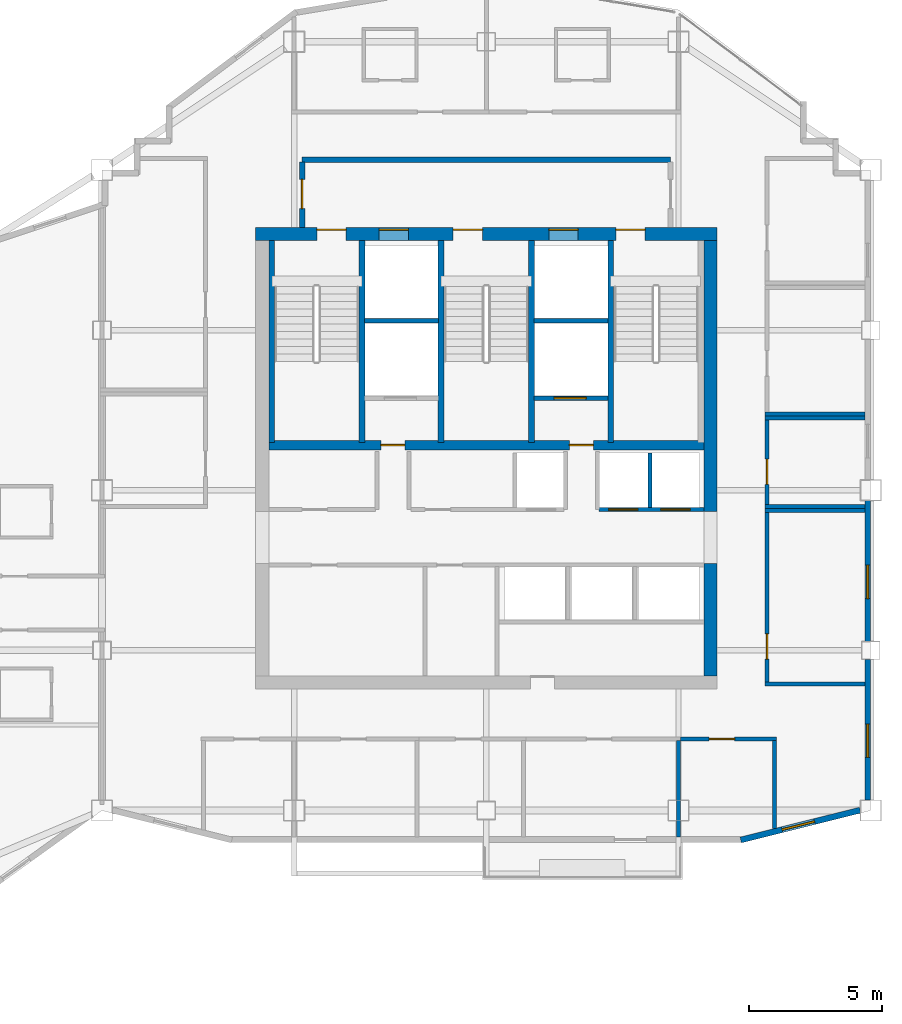
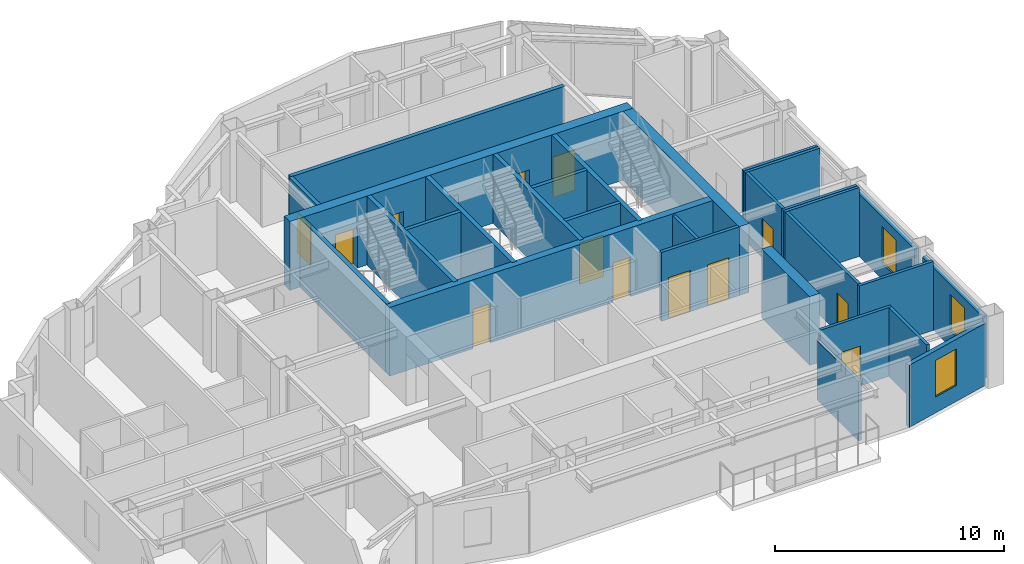
# One storey, part 7 of 10: 29 walls, 14 doors, 3 windows, 17 openings.
"""IFC4 building model written with IfcOpenShell, lengths in metres."""

from ifc_helpers import new_model, si_unit, direction, frame, frame_2d, origin, place, context, subcontext, project, spatial, rectangle, extrude, material, layer, layer_set, type_object, element, fill, save


model = new_model("IFC4")

# Units and contexts
model_context = context("Model", 3, precision=1e-05, world=origin(), true_north=direction((0.0, 1.0)))
body_context = subcontext(model_context, "Body", "Model", "MODEL_VIEW")
ifc_project = project(units=[si_unit("LENGTHUNIT", "METRE"), si_unit("AREAUNIT", "SQUARE_METRE"), si_unit("VOLUMEUNIT", "CUBIC_METRE"), si_unit("PLANEANGLEUNIT", "RADIAN"), si_unit("MASSUNIT", "GRAM", prefix="KILO")], contexts=[model_context])

# Site, building, storey
site_placement = place(None, origin())
site = spatial("IfcSite", under=ifc_project, at=site_placement, CompositionType="ELEMENT")
building_placement = place(site_placement, origin())
building = spatial("IfcBuilding", under=site, at=building_placement, Name="Haolan Belvedere Tower", CompositionType="ELEMENT")
storey_placement = place(building_placement, frame((0.0, 0.0, 258.300048828125)))
storey = spatial("IfcBuildingStorey", under=building, at=storey_placement, Name="L65", CompositionType="ELEMENT", Elevation=258.300048828125)

# Wall, openings, doors
ifc_material_1 = material(Name="Concrete C50/60", Category="concrete")
ifc_layer_1 = layer(ifc_material_1, 0.5, Name="Concrete C50/60")
ifc_layer_set_1 = layer_set([ifc_layer_1], Name="Concrete C50/60")
wall_type_1 = type_object("IfcWallType", Name="WL-CORE-500", PredefinedType="SHEAR", material=ifc_layer_set_1)
wall_1_placement = place(storey_placement, frame((29.75, 43.199951171875, 0.0), z_axis=(0.0, 0.0, 1.0), x_axis=(1.0, 0.0, 0.0)))
wall_1 = element("IfcWall", 1, at=wall_1_placement, inside=storey, type_object=wall_type_1, Name="L65 central core north shear wall", PredefinedType="SHEAR", context=body_context, shape_type="SweptSolid", body=[
    extrude(rectangle(XDim=17.300048828125, YDim=0.5, at=frame_2d((8.64990234375, 0.0))), origin(), (0.0, 0.0, 1.0), 3.669921875),
])
opening_1_placement = place(wall_1_placement, frame((2.300048828125, 0.0, 0.0)))
opening_1 = element("IfcOpeningElement", 2, at=opening_1_placement, cuts=wall_1, Name="Opening FD-03", PredefinedType="OPENING", context=body_context, shape_type="SweptSolid", body=[
    extrude(rectangle(XDim=1.10009765625, YDim=2.14990234375, at=frame_2d((0.550048828125, 1.074951171875))), frame((0.0, 0.260009765625, 0.0), z_axis=(0.0, -1.0, 0.0), x_axis=(1.0, 0.0, 0.0)), (0.0, 0.0, 1.0), 0.52001953125),
])
opening_2_placement = place(wall_1_placement, frame((7.409912109375, 0.0, 0.0)))
opening_2 = element("IfcOpeningElement", 3, at=opening_2_placement, cuts=wall_1, Name="Opening FD-03", PredefinedType="OPENING", context=body_context, shape_type="SweptSolid", body=[
    extrude(rectangle(XDim=1.10009765625, YDim=2.14990234375, at=frame_2d((0.550048828125, 1.074951171875))), frame((0.0, 0.260009765625, 0.0), z_axis=(0.0, -1.0, 0.0), x_axis=(1.0, 0.0, 0.0)), (0.0, 0.0, 1.0), 0.52001953125),
])
opening_3_placement = place(wall_1_placement, frame((13.5, 0.0, 0.0)))
opening_3 = element("IfcOpeningElement", 4, at=opening_3_placement, cuts=wall_1, Name="Opening FD-03", PredefinedType="OPENING", context=body_context, shape_type="SweptSolid", body=[
    extrude(rectangle(XDim=1.10009765625, YDim=2.14990234375, at=frame_2d((0.550048828125, 1.074951171875))), frame((0.0, 0.260009765625, 0.0), z_axis=(0.0, -1.0, 0.0), x_axis=(1.0, 0.0, 0.0)), (0.0, 0.0, 1.0), 0.52001953125),
])
opening_4_placement = place(wall_1_placement, frame((4.6298828125, 0.0, 0.0)))
opening_4 = element("IfcOpeningElement", 5, at=opening_4_placement, cuts=wall_1, Name="Opening LD-01", PredefinedType="OPENING", context=body_context, shape_type="SweptSolid", body=[
    extrude(rectangle(XDim=1.10009765625, YDim=2.199951171875, at=frame_2d((0.550048828125, 1.10009765625))), frame((0.0, 0.260009765625, 0.0), z_axis=(0.0, -1.0, 0.0), x_axis=(1.0, 0.0, 0.0)), (0.0, 0.0, 1.0), 0.52001953125),
])
opening_5_placement = place(wall_1_placement, frame((10.989990234375, 0.0, 0.0)))
opening_5 = element("IfcOpeningElement", 6, at=opening_5_placement, cuts=wall_1, Name="Opening LD-01", PredefinedType="OPENING", context=body_context, shape_type="SweptSolid", body=[
    extrude(rectangle(XDim=1.10009765625, YDim=2.199951171875, at=frame_2d((0.550048828125, 1.10009765625))), frame((0.0, 0.260009765625, 0.0), z_axis=(0.0, -1.0, 0.0), x_axis=(1.0, 0.0, 0.0)), (0.0, 0.0, 1.0), 0.52001953125),
])
ifc_material_2 = material(Name="Galvanised fire-rated steel", Category="steel")
door_type_1 = type_object("IfcDoorType", Name="DR-FD90-1100", OperationType="NOTDEFINED", PredefinedType="DOOR", material=ifc_material_2)
door_1_placement = place(opening_1_placement, origin())
door_1 = element("IfcDoor", 7, at=door_1_placement, inside=storey, type_object=door_type_1, Name="L65 door CD-L65-ST1", OperationType="SINGLE_SWING_LEFT", OverallHeight=2.14990234375, OverallWidth=1.10009765625, PredefinedType="DOOR", context=body_context, shape_type="SweptSolid", body=[
    extrude(rectangle(XDim=1.10009765625, YDim=2.14990234375, at=frame_2d((0.550048828125, 1.074951171875))), frame((0.0, 0.18505859375, 0.0), z_axis=(0.0, -1.0, 0.0), x_axis=(1.0, 0.0, 0.0)), (0.0, 0.0, 1.0), 0.050048828125),
])
fill(opening_1, door_1)
door_2_placement = place(opening_2_placement, origin())
door_2 = element("IfcDoor", 8, at=door_2_placement, inside=storey, type_object=door_type_1, Name="L65 door CD-L65-ST3", OperationType="SINGLE_SWING_LEFT", OverallHeight=2.14990234375, OverallWidth=1.10009765625, PredefinedType="DOOR", context=body_context, shape_type="SweptSolid", body=[
    extrude(rectangle(XDim=1.10009765625, YDim=2.14990234375, at=frame_2d((0.550048828125, 1.074951171875))), frame((0.0, 0.18505859375, 0.0), z_axis=(0.0, -1.0, 0.0), x_axis=(1.0, 0.0, 0.0)), (0.0, 0.0, 1.0), 0.050048828125),
])
fill(opening_2, door_2)
door_3_placement = place(opening_3_placement, origin())
door_3 = element("IfcDoor", 9, at=door_3_placement, inside=storey, type_object=door_type_1, Name="L65 door CD-L65-ST2", OperationType="SINGLE_SWING_RIGHT", OverallHeight=2.14990234375, OverallWidth=1.10009765625, PredefinedType="DOOR", context=body_context, shape_type="SweptSolid", body=[
    extrude(rectangle(XDim=1.10009765625, YDim=2.14990234375, at=frame_2d((0.550048828125, 1.074951171875))), frame((0.0, 0.18505859375, 0.0), z_axis=(0.0, -1.0, 0.0), x_axis=(1.0, 0.0, 0.0)), (0.0, 0.0, 1.0), 0.050048828125),
])
fill(opening_3, door_3)
ifc_material_3 = material(Name="Brushed champagne stainless steel 316L", Category="steel")
door_type_2 = type_object("IfcDoorType", Name="DR-LIFT-1100", OperationType="SLIDING_TO_LEFT", PredefinedType="DOOR", material=ifc_material_3)
door_4_placement = place(opening_4_placement, origin())
door_4 = element("IfcDoor", 10, at=door_4_placement, inside=storey, type_object=door_type_2, Name="L65 door LD-L65-FF1", OperationType="SLIDING_TO_LEFT", OverallHeight=2.199951171875, OverallWidth=1.10009765625, PredefinedType="DOOR", context=body_context, shape_type="SweptSolid", body=[
    extrude(rectangle(XDim=1.10009765625, YDim=2.199951171875, at=frame_2d((0.550048828125, 1.10009765625))), frame((0.0, 0.18505859375, 0.0), z_axis=(0.0, -1.0, 0.0), x_axis=(1.0, 0.0, 0.0)), (0.0, 0.0, 1.0), 0.050048828125),
])
fill(opening_4, door_4)
door_5_placement = place(opening_5_placement, origin())
door_5 = element("IfcDoor", 11, at=door_5_placement, inside=storey, type_object=door_type_2, Name="L65 door LD-L65-FF2", OperationType="SLIDING_TO_LEFT", OverallHeight=2.199951171875, OverallWidth=1.10009765625, PredefinedType="DOOR", context=body_context, shape_type="SweptSolid", body=[
    extrude(rectangle(XDim=1.10009765625, YDim=2.199951171875, at=frame_2d((0.550048828125, 1.10009765625))), frame((0.0, 0.18505859375, 0.0), z_axis=(0.0, -1.0, 0.0), x_axis=(1.0, 0.0, 0.0)), (0.0, 0.0, 1.0), 0.050048828125),
])
fill(opening_5, door_5)

# Walls
wall_2_placement = place(storey_placement, frame((46.800048828125, 26.64990234375, 0.0), z_axis=(0.0, 0.0, 1.0), x_axis=(0.0, 1.0, 0.0)))
element("IfcWall", 12, at=wall_2_placement, inside=storey, type_object=wall_type_1, Name="L65 central core shear wall ES", PredefinedType="SHEAR", context=body_context, shape_type="SweptSolid", body=[
    extrude(rectangle(XDim=4.2001953125, YDim=0.5, at=frame_2d((2.10009765625, 0.0))), origin(), (0.0, 0.0, 1.0), 3.669921875),
])
wall_3_placement = place(storey_placement, frame((46.800048828125, 32.800048828125, 0.0), z_axis=(0.0, 0.0, 1.0), x_axis=(0.0, 1.0, 0.0)))
element("IfcWall", 13, at=wall_3_placement, inside=storey, type_object=wall_type_1, Name="L65 central core shear wall EN", PredefinedType="SHEAR", context=body_context, shape_type="SweptSolid", body=[
    extrude(rectangle(XDim=10.14990234375, YDim=0.5, at=frame_2d((5.074951171875, 0.0))), origin(), (0.0, 0.0, 1.0), 3.669921875),
])

# Wall, opening, window
ifc_material_4 = material(Name="Precast concrete C40/50", Category="concrete")
ifc_layer_2 = layer(ifc_material_4, 0.219970703125, Name="Precast concrete C40/50")
ifc_layer_set_2 = layer_set([ifc_layer_2], Name="Precast concrete C40/50")
wall_type_2 = type_object("IfcWallType", Name="WL-EXT-220", PredefinedType="SOLIDWALL", material=ifc_layer_set_2)
wall_4_placement = place(storey_placement, frame((47.93310546875, 20.49658203125, 0.0), z_axis=(0.0, 0.0, 1.0), x_axis=(0.970133159038, 0.242572986408, 0.0)))
wall_4 = element("IfcWall", 14, at=wall_4_placement, inside=storey, type_object=wall_type_2, Name="L65 pale-metal exterior spandrel wall 2.1", PredefinedType="SOLIDWALL", context=body_context, shape_type="SweptSolid", body=[
    extrude(rectangle(XDim=4.612548828125, YDim=0.219970703125, at=frame_2d((2.30615234375, 0.0))), origin(), (0.0, 0.0, 1.0), 3.31494140625),
])
opening_6_placement = place(wall_4_placement, frame((1.60009765625, 0.0, 0.85009765625)))
opening_6 = element("IfcOpeningElement", 15, at=opening_6_placement, cuts=wall_4, Name="Opening W-04", PredefinedType="OPENING", context=body_context, shape_type="SweptSolid", body=[
    extrude(rectangle(XDim=1.25, YDim=1.949951171875, at=frame_2d((0.625, 0.97509765625))), frame((0.0, 0.119873046875, 0.0), z_axis=(0.0, -1.0, 0.0), x_axis=(1.0, 0.0, 0.0)), (0.0, 0.0, 1.0), 0.239990234375),
])
ifc_material_5 = material(Name="Anodised aluminium 6063-T6 and Low-E glass", Category="aluminium")
window_type = type_object("IfcWindowType", Name="WN-DECO-Z4", PartitioningType="SINGLE_PANEL", PredefinedType="WINDOW", material=ifc_material_5)
window_1_placement = place(opening_6_placement, origin())
window_1 = element("IfcWindow", 16, at=window_1_placement, inside=storey, type_object=window_type, Name="L65 Art Deco chevron window 1", OverallHeight=1.949951171875, OverallWidth=1.25, PartitioningType="SINGLE_PANEL", PredefinedType="WINDOW", context=body_context, shape_type="SweptSolid", body=[
    extrude(rectangle(XDim=1.25, YDim=1.949951171875, at=frame_2d((0.625, 0.97509765625))), frame((0.0, 0.030029296875, 0.0), z_axis=(0.0, -1.0, 0.0), x_axis=(1.0, 0.0, 0.0)), (0.0, 0.0, 1.0), 0.06005859375),
])
fill(opening_6, window_1)

wall_5_placement = place(storey_placement, frame((52.68994140625, 21.991943359375, 0.0), z_axis=(0.0, 0.0, 1.0), x_axis=(0.0, 1.0, 0.0)))
wall_5 = element("IfcWall", 17, at=wall_5_placement, inside=storey, type_object=wall_type_2, Name="L65 pale-metal exterior spandrel wall 3.1", PredefinedType="SOLIDWALL", context=body_context, shape_type="SweptSolid", body=[
    extrude(rectangle(XDim=5.26611328125, YDim=0.219970703125, at=frame_2d((2.633056640625, 0.0))), origin(), (0.0, 0.0, 1.0), 3.31494140625),
])
opening_7_placement = place(wall_5_placement, frame((1.60009765625, 0.0, 0.85009765625)))
opening_7 = element("IfcOpeningElement", 18, at=opening_7_placement, cuts=wall_5, Name="Opening W-04", PredefinedType="OPENING", context=body_context, shape_type="SweptSolid", body=[
    extrude(rectangle(XDim=1.25, YDim=1.949951171875, at=frame_2d((0.625, 0.97509765625))), frame((0.0, 0.119873046875, 0.0), z_axis=(0.0, -1.0, 0.0), x_axis=(1.0, 0.0, 0.0)), (0.0, 0.0, 1.0), 0.239990234375),
])
window_2_placement = place(opening_7_placement, origin())
window_2 = element("IfcWindow", 19, at=window_2_placement, inside=storey, type_object=window_type, Name="L65 Art Deco chevron window 1", OverallHeight=1.949951171875, OverallWidth=1.25, PartitioningType="SINGLE_PANEL", PredefinedType="WINDOW", context=body_context, shape_type="SweptSolid", body=[
    extrude(rectangle(XDim=1.25, YDim=1.949951171875, at=frame_2d((0.625, 0.97509765625))), frame((0.0, 0.030029296875, 0.0), z_axis=(0.0, -1.0, 0.0), x_axis=(1.0, 0.0, 0.0)), (0.0, 0.0, 1.0), 0.06005859375),
])
fill(opening_7, window_2)

wall_6_placement = place(storey_placement, frame((52.68994140625, 27.94189453125, 0.0), z_axis=(0.0, 0.0, 1.0), x_axis=(0.0, 1.0, 0.0)))
wall_6 = element("IfcWall", 20, at=wall_6_placement, inside=storey, type_object=wall_type_2, Name="L65 pale-metal exterior spandrel wall 3.2", PredefinedType="SOLIDWALL", context=body_context, shape_type="SweptSolid", body=[
    extrude(rectangle(XDim=5.26611328125, YDim=0.219970703125, at=frame_2d((2.633056640625, 0.0))), origin(), (0.0, 0.0, 1.0), 3.31494140625),
])
opening_8_placement = place(wall_6_placement, frame((1.60009765625, 0.0, 0.85009765625)))
opening_8 = element("IfcOpeningElement", 21, at=opening_8_placement, cuts=wall_6, Name="Opening W-04", PredefinedType="OPENING", context=body_context, shape_type="SweptSolid", body=[
    extrude(rectangle(XDim=1.25, YDim=1.949951171875, at=frame_2d((0.625, 0.97509765625))), frame((0.0, 0.119873046875, 0.0), z_axis=(0.0, -1.0, 0.0), x_axis=(1.0, 0.0, 0.0)), (0.0, 0.0, 1.0), 0.239990234375),
])
window_3_placement = place(opening_8_placement, origin())
window_3 = element("IfcWindow", 22, at=window_3_placement, inside=storey, type_object=window_type, Name="L65 Art Deco chevron window 1", OverallHeight=1.949951171875, OverallWidth=1.25, PartitioningType="SINGLE_PANEL", PredefinedType="WINDOW", context=body_context, shape_type="SweptSolid", body=[
    extrude(rectangle(XDim=1.25, YDim=1.949951171875, at=frame_2d((0.625, 0.97509765625))), frame((0.0, 0.030029296875, 0.0), z_axis=(0.0, -1.0, 0.0), x_axis=(1.0, 0.0, 0.0)), (0.0, 0.0, 1.0), 0.06005859375),
])
fill(opening_8, window_3)

# Wall
ifc_material_6 = material(Name="Concrete C40/50", Category="concrete")
ifc_layer_3 = layer(ifc_material_6, 0.199951171875, Name="Concrete C40/50")
ifc_layer_set_3 = layer_set([ifc_layer_3], Name="Concrete C40/50")
wall_type_3 = type_object("IfcWallType", Name="WL-FIRE-200", PredefinedType="SOLIDWALL", material=ifc_layer_set_3)
wall_7_placement = place(storey_placement, frame((31.5, 45.97998046875, 0.0), z_axis=(0.0, 0.0, 1.0), x_axis=(1.0, 0.0, 0.0)))
element("IfcWall", 23, at=wall_7_placement, inside=storey, type_object=wall_type_3, Name="L65 interior partition IW-L65-FFL-N", PredefinedType="SOLIDWALL", context=body_context, shape_type="SweptSolid", body=[
    extrude(rectangle(XDim=13.800048828125, YDim=0.199951171875, at=frame_2d((6.89990234375, 0.0))), origin(), (0.0, 0.0, 1.0), 3.669921875),
])

# Wall, opening, door
wall_8_placement = place(storey_placement, frame((31.5, 43.449951171875, 0.0), z_axis=(0.0, 0.0, 1.0), x_axis=(0.0, 1.0, 0.0)))
wall_8 = element("IfcWall", 24, at=wall_8_placement, inside=storey, type_object=wall_type_3, Name="L65 interior partition IW-L65-FFL-W", PredefinedType="SOLIDWALL", context=body_context, shape_type="SweptSolid", body=[
    extrude(rectangle(XDim=2.445068359375, YDim=0.199951171875, at=frame_2d((1.22265625, 0.0))), origin(), (0.0, 0.0, 1.0), 3.669921875),
])
opening_9_placement = place(wall_8_placement, frame((1.800048828125, 0.0, 0.0), z_axis=(0.0, 0.0, 1.0), x_axis=(-1.0, 0.0, 0.0)))
opening_9 = element("IfcOpeningElement", 25, at=opening_9_placement, cuts=wall_8, Name="Opening FD-03", PredefinedType="OPENING", context=body_context, shape_type="SweptSolid", body=[
    extrude(rectangle(XDim=1.10009765625, YDim=2.14990234375, at=frame_2d((0.550048828125, 1.074951171875))), frame((0.0, 0.10986328125, 0.0), z_axis=(0.0, -1.0, 0.0), x_axis=(1.0, 0.0, 0.0)), (0.0, 0.0, 1.0), 0.219970703125),
])
door_6_placement = place(opening_9_placement, origin())
door_6 = element("IfcDoor", 26, at=door_6_placement, inside=storey, type_object=door_type_1, Name="L65 door ID-L65-FFL-DW", OperationType="SINGLE_SWING_LEFT", OverallHeight=2.14990234375, OverallWidth=1.10009765625, PredefinedType="DOOR", context=body_context, shape_type="SweptSolid", body=[
    extrude(rectangle(XDim=1.10009765625, YDim=2.14990234375, at=frame_2d((0.550048828125, 1.074951171875))), frame((0.0, 0.02490234375, 0.0), z_axis=(0.0, -1.0, 0.0), x_axis=(1.0, 0.0, 0.0)), (0.0, 0.0, 1.0), 0.050048828125),
])
fill(opening_9, door_6)

# Walls
ifc_material_7 = material(Name="Double gypsum acoustic stud partition", Category="masonry")
ifc_layer_4 = layer(ifc_material_7, 0.14990234375, Name="Double gypsum acoustic stud partition")
ifc_layer_set_4 = layer_set([ifc_layer_4], Name="Double gypsum acoustic stud partition")
wall_type_4 = type_object("IfcWallType", Name="WL-PART-150", PredefinedType="PARTITIONING", material=ifc_layer_set_4)
for number, where, z_axis, x_axis, name in (
    (27, (48.840087890625, 36.300048828125, 0.0), (0.0, 0.0, 1.0), (1.0, 0.0, 0.0), "L65 interior partition IW-L65-AWC-N"),
    (28, (48.840087890625, 33.0, 0.0), (0.0, 0.0, 1.0), (1.0, 0.0, 0.0), "L65 interior partition IW-L65-AWC-S"),
):
    element("IfcWall", number, at=place(storey_placement, frame(where, z_axis=z_axis, x_axis=x_axis)), inside=storey, type_object=wall_type_4, Name=name, PredefinedType="PARTITIONING", context=body_context, shape_type="SweptSolid", body=[
        extrude(rectangle(XDim=3.747802734375, YDim=0.14990234375, at=frame_2d((1.8740234375, 0.0))), origin(), (0.0, 0.0, 1.0), 3.669921875),
    ])

# Wall, opening, door
wall_9_placement = place(storey_placement, frame((48.919921875, 33.06005859375, 0.0), z_axis=(0.0, 0.0, 1.0), x_axis=(0.0, 1.0, 0.0)))
wall_9 = element("IfcWall", 29, at=wall_9_placement, inside=storey, type_object=wall_type_4, Name="L65 interior partition IW-L65-AWC-W", PredefinedType="PARTITIONING", context=body_context, shape_type="SweptSolid", body=[
    extrude(rectangle(XDim=3.179931640625, YDim=0.14990234375, at=frame_2d((1.58984375, 0.0))), origin(), (0.0, 0.0, 1.0), 3.669921875),
])
opening_10_placement = place(wall_9_placement, frame((0.760009765625, 0.0, 0.0)))
opening_10 = element("IfcOpeningElement", 30, at=opening_10_placement, cuts=wall_9, Name="Opening ID-03", PredefinedType="OPENING", context=body_context, shape_type="SweptSolid", body=[
    extrude(rectangle(XDim=0.949951171875, YDim=2.1201171875, at=frame_2d((0.47509765625, 1.06005859375))), frame((0.0, 0.0849609375, 0.0), z_axis=(0.0, -1.0, 0.0), x_axis=(1.0, 0.0, 0.0)), (0.0, 0.0, 1.0), 0.169921875),
])
ifc_material_8 = material(Name="Painted solid-core timber", Category="wood")
door_type_3 = type_object("IfcDoorType", Name="DR-INT-950", OperationType="NOTDEFINED", PredefinedType="DOOR", material=ifc_material_8)
door_7_placement = place(opening_10_placement, origin())
door_7 = element("IfcDoor", 31, at=door_7_placement, inside=storey, type_object=door_type_3, Name="L65 door ID-L65-AWC", OperationType="SINGLE_SWING_LEFT", OverallHeight=2.1201171875, OverallWidth=0.949951171875, PredefinedType="DOOR", context=body_context, shape_type="SweptSolid", body=[
    extrude(rectangle(XDim=0.949951171875, YDim=2.1201171875, at=frame_2d((0.47509765625, 1.06005859375))), frame((0.0, 0.02490234375, 0.0), z_axis=(0.0, -1.0, 0.0), x_axis=(1.0, 0.0, 0.0)), (0.0, 0.0, 1.0), 0.050048828125),
])
fill(opening_10, door_7)

# Walls
for number, where, z_axis, x_axis, name in (
    (32, (48.840087890625, 36.4599609375, 0.0), (0.0, 0.0, 1.0), (1.0, 0.0, 0.0), "L65 interior partition IW-L65-STY-S"),
    (33, (48.840087890625, 32.840087890625, 0.0), (0.0, 0.0, 1.0), (1.0, 0.0, 0.0), "L65 interior partition IW-L65-PKTE-N"),
    (34, (48.840087890625, 26.35009765625, 0.0), (0.0, 0.0, 1.0), (1.0, 0.0, 0.0), "L65 interior partition IW-L65-PKTE-S"),
):
    element("IfcWall", number, at=place(storey_placement, frame(where, z_axis=z_axis, x_axis=x_axis)), inside=storey, type_object=wall_type_4, Name=name, PredefinedType="PARTITIONING", context=body_context, shape_type="SweptSolid", body=[
        extrude(rectangle(XDim=3.747802734375, YDim=0.14990234375, at=frame_2d((1.8740234375, 0.0))), origin(), (0.0, 0.0, 1.0), 3.669921875),
    ])

# Wall, opening, door
wall_10_placement = place(storey_placement, frame((48.919921875, 26.409912109375, 0.0), z_axis=(0.0, 0.0, 1.0), x_axis=(0.0, 1.0, 0.0)))
wall_10 = element("IfcWall", 35, at=wall_10_placement, inside=storey, type_object=wall_type_4, Name="L65 interior partition IW-L65-PKTE-W", PredefinedType="PARTITIONING", context=body_context, shape_type="SweptSolid", body=[
    extrude(rectangle(XDim=6.3701171875, YDim=0.14990234375, at=frame_2d((3.18505859375, 0.0))), origin(), (0.0, 0.0, 1.0), 3.669921875),
])
opening_11_placement = place(wall_10_placement, frame((0.860107421875, 0.0, 0.0)))
opening_11 = element("IfcOpeningElement", 36, at=opening_11_placement, cuts=wall_10, Name="Opening ID-03", PredefinedType="OPENING", context=body_context, shape_type="SweptSolid", body=[
    extrude(rectangle(XDim=0.949951171875, YDim=2.1201171875, at=frame_2d((0.47509765625, 1.06005859375))), frame((0.0, 0.0849609375, 0.0), z_axis=(0.0, -1.0, 0.0), x_axis=(1.0, 0.0, 0.0)), (0.0, 0.0, 1.0), 0.169921875),
])
door_8_placement = place(opening_11_placement, origin())
door_8 = element("IfcDoor", 37, at=door_8_placement, inside=storey, type_object=door_type_3, Name="L65 door ID-L65-PKTE", OperationType="SINGLE_SWING_RIGHT", OverallHeight=2.1201171875, OverallWidth=0.949951171875, PredefinedType="DOOR", context=body_context, shape_type="SweptSolid", body=[
    extrude(rectangle(XDim=0.949951171875, YDim=2.1201171875, at=frame_2d((0.47509765625, 1.06005859375))), frame((0.0, 0.02490234375, 0.0), z_axis=(0.0, -1.0, 0.0), x_axis=(1.0, 0.0, 0.0)), (0.0, 0.0, 1.0), 0.050048828125),
])
fill(opening_11, door_8)

# Wall
wall_11_placement = place(storey_placement, frame((45.60009765625, 20.612060546875, 0.0), z_axis=(0.0, 0.0, 1.0), x_axis=(0.0, 1.0, 0.0)))
element("IfcWall", 38, at=wall_11_placement, inside=storey, type_object=wall_type_4, Name="L65 interior partition IW-L65-KS5-E", PredefinedType="PARTITIONING", context=body_context, shape_type="SweptSolid", body=[
    extrude(rectangle(XDim=3.60791015625, YDim=0.14990234375, at=frame_2d((1.803955078125, 0.0))), origin(), (0.0, 0.0, 1.0), 3.155029296875),
])

# Wall, opening, door
wall_12_placement = place(storey_placement, frame((45.681884765625, 24.280029296875, 0.0), z_axis=(0.0, 0.0, 1.0), x_axis=(1.0, 0.0, 0.0)))
wall_12 = element("IfcWall", 39, at=wall_12_placement, inside=storey, type_object=wall_type_4, Name="L65 interior partition IW-L65-KS6-N", PredefinedType="PARTITIONING", context=body_context, shape_type="SweptSolid", body=[
    extrude(rectangle(XDim=3.59814453125, YDim=0.14990234375, at=frame_2d((1.799072265625, 0.0))), origin(), (0.0, 0.0, 1.0), 3.669921875),
])
opening_12_placement = place(wall_12_placement, frame((2.01806640625, 0.0, 0.0), z_axis=(0.0, 0.0, 1.0), x_axis=(-1.0, 0.0, 0.0)))
opening_12 = element("IfcOpeningElement", 40, at=opening_12_placement, cuts=wall_12, Name="Opening ID-03", PredefinedType="OPENING", context=body_context, shape_type="SweptSolid", body=[
    extrude(rectangle(XDim=0.949951171875, YDim=2.1201171875, at=frame_2d((0.47509765625, 1.06005859375))), frame((0.0, 0.0849609375, 0.0), z_axis=(0.0, -1.0, 0.0), x_axis=(1.0, 0.0, 0.0)), (0.0, 0.0, 1.0), 0.169921875),
])
door_9_placement = place(opening_12_placement, origin())
door_9 = element("IfcDoor", 41, at=door_9_placement, inside=storey, type_object=door_type_3, Name="L65 door ID-L65-KS6", OperationType="SINGLE_SWING_RIGHT", OverallHeight=2.1201171875, OverallWidth=0.949951171875, PredefinedType="DOOR", context=body_context, shape_type="SweptSolid", body=[
    extrude(rectangle(XDim=0.949951171875, YDim=2.1201171875, at=frame_2d((0.47509765625, 1.06005859375))), frame((0.0, 0.02490234375, 0.0), z_axis=(0.0, -1.0, 0.0), x_axis=(1.0, 0.0, 0.0)), (0.0, 0.0, 1.0), 0.050048828125),
])
fill(opening_12, door_9)

# Wall
wall_13_placement = place(storey_placement, frame((49.199951171875, 20.91845703125, 0.0), z_axis=(0.0, 0.0, 1.0), x_axis=(0.0, 1.0, 0.0)))
element("IfcWall", 42, at=wall_13_placement, inside=storey, type_object=wall_type_4, Name="L65 interior partition IW-L65-KS6-E", PredefinedType="PARTITIONING", context=body_context, shape_type="SweptSolid", body=[
    extrude(rectangle(XDim=3.301513671875, YDim=0.14990234375, at=frame_2d((1.65087890625, 0.0))), origin(), (0.0, 0.0, 1.0), 3.669921875),
])

# Wall, openings, doors
ifc_material_9 = material(Name="Gypsum fire shaftwall assembly", Category="masonry")
ifc_layer_5 = layer(ifc_material_9, 0.1650390625, Name="Gypsum fire shaftwall assembly")
ifc_layer_set_5 = layer_set([ifc_layer_5], Name="Gypsum fire shaftwall assembly")
wall_type_5 = type_object("IfcWallType", Name="WL-SHAFT-160", PredefinedType="SOLIDWALL", material=ifc_layer_set_5)
wall_14_placement = place(storey_placement, frame((42.6298828125, 32.8798828125, 0.0), z_axis=(0.0, 0.0, 1.0), x_axis=(1.0, 0.0, 0.0)))
wall_14 = element("IfcWall", 43, at=wall_14_placement, inside=storey, type_object=wall_type_5, Name="L65 interior partition IW-L65-ROW-PN3", PredefinedType="SOLIDWALL", context=body_context, shape_type="SweptSolid", body=[
    extrude(rectangle(XDim=3.920166015625, YDim=0.159912109375, at=frame_2d((1.9599609375, 0.0))), origin(), (0.0, 0.0, 1.0), 3.669921875),
])
opening_13_placement = place(wall_14_placement, frame((1.4501953125, 0.0, 0.0), z_axis=(0.0, 0.0, 1.0), x_axis=(-1.0, 0.0, 0.0)))
opening_13 = element("IfcOpeningElement", 44, at=opening_13_placement, cuts=wall_14, Name="Opening LD-01", PredefinedType="OPENING", context=body_context, shape_type="SweptSolid", body=[
    extrude(rectangle(XDim=1.10009765625, YDim=2.199951171875, at=frame_2d((0.550048828125, 1.10009765625))), frame((0.0, 0.08984375, 0.0), z_axis=(0.0, -1.0, 0.0), x_axis=(1.0, 0.0, 0.0)), (0.0, 0.0, 1.0), 0.179931640625),
])
opening_14_placement = place(wall_14_placement, frame((3.41015625, 0.0, 0.0), z_axis=(0.0, 0.0, 1.0), x_axis=(-1.0, 0.0, 0.0)))
opening_14 = element("IfcOpeningElement", 45, at=opening_14_placement, cuts=wall_14, Name="Opening LD-01", PredefinedType="OPENING", context=body_context, shape_type="SweptSolid", body=[
    extrude(rectangle(XDim=1.10009765625, YDim=2.199951171875, at=frame_2d((0.550048828125, 1.10009765625))), frame((0.0, 0.08984375, 0.0), z_axis=(0.0, -1.0, 0.0), x_axis=(1.0, 0.0, 0.0)), (0.0, 0.0, 1.0), 0.179931640625),
])
door_10_placement = place(opening_13_placement, origin())
door_10 = element("IfcDoor", 46, at=door_10_placement, inside=storey, type_object=door_type_2, Name="L65 door ID-L65-LD-PH2", OperationType="SLIDING_TO_RIGHT", OverallHeight=2.199951171875, OverallWidth=1.10009765625, PredefinedType="DOOR", context=body_context, shape_type="SweptSolid", body=[
    extrude(rectangle(XDim=1.10009765625, YDim=2.199951171875, at=frame_2d((0.550048828125, 1.10009765625))), frame((0.0, 0.02490234375, 0.0), z_axis=(0.0, -1.0, 0.0), x_axis=(1.0, 0.0, 0.0)), (0.0, 0.0, 1.0), 0.050048828125),
])
fill(opening_13, door_10)
door_11_placement = place(opening_14_placement, origin())
door_11 = element("IfcDoor", 47, at=door_11_placement, inside=storey, type_object=door_type_2, Name="L65 door ID-L65-LD-PH3", OperationType="SLIDING_TO_RIGHT", OverallHeight=2.199951171875, OverallWidth=1.10009765625, PredefinedType="DOOR", context=body_context, shape_type="SweptSolid", body=[
    extrude(rectangle(XDim=1.10009765625, YDim=2.199951171875, at=frame_2d((0.550048828125, 1.10009765625))), frame((0.0, 0.02490234375, 0.0), z_axis=(0.0, -1.0, 0.0), x_axis=(1.0, 0.0, 0.0)), (0.0, 0.0, 1.0), 0.050048828125),
])
fill(opening_14, door_11)

# Walls
wall_15_placement = place(storey_placement, frame((44.530029296875, 32.949951171875, 0.0), z_axis=(0.0, 0.0, 1.0), x_axis=(0.0, 1.0, 0.0)))
element("IfcWall", 48, at=wall_15_placement, inside=storey, type_object=wall_type_5, Name="L65 interior partition IW-L65-DIV-PH2", PredefinedType="SOLIDWALL", context=body_context, shape_type="SweptSolid", body=[
    extrude(rectangle(XDim=2.050048828125, YDim=0.14990234375, at=frame_2d((1.02490234375, 0.0))), origin(), (0.0, 0.0, 1.0), 3.669921875),
])
ifc_layer_6 = layer(ifc_material_4, 0.179931640625, Name="Precast concrete C40/50")
ifc_layer_set_6 = layer_set([ifc_layer_6], Name="Precast concrete C40/50")
wall_type_6 = type_object("IfcWallType", Name="WL-SHAFT-180", PredefinedType="SOLIDWALL", material=ifc_layer_set_6)
for number, where, z_axis, x_axis, name in (
    (49, (33.8349609375, 39.949951171875, 0.0), (0.0, 0.0, 1.0), (1.0, 0.0, 0.0), "L65 interior partition IW-L65-FF1-S"),
    (50, (40.195068359375, 39.949951171875, 0.0), (0.0, 0.0, 1.0), (1.0, 0.0, 0.0), "L65 interior partition IW-L65-FF2-S"),
):
    element("IfcWall", number, at=place(storey_placement, frame(where, z_axis=z_axis, x_axis=x_axis)), inside=storey, type_object=wall_type_6, Name=name, PredefinedType="SOLIDWALL", context=body_context, shape_type="SweptSolid", body=[
        extrude(rectangle(XDim=2.77001953125, YDim=0.179931640625, at=frame_2d((1.385009765625, 0.0))), origin(), (0.0, 0.0, 1.0), 3.669921875),
    ])

# Wall, opening, door
wall_16_placement = place(storey_placement, frame((40.195068359375, 37.050048828125, 0.0), z_axis=(0.0, 0.0, 1.0), x_axis=(1.0, 0.0, 0.0)))
wall_16 = element("IfcWall", 51, at=wall_16_placement, inside=storey, type_object=wall_type_6, Name="L65 interior partition IW-L65-SV2-S", PredefinedType="SOLIDWALL", context=body_context, shape_type="SweptSolid", body=[
    extrude(rectangle(XDim=2.77001953125, YDim=0.179931640625, at=frame_2d((1.385009765625, 0.0))), origin(), (0.0, 0.0, 1.0), 3.669921875),
])
opening_15_placement = place(wall_16_placement, frame((1.945068359375, 0.0, 0.0), z_axis=(0.0, 0.0, 1.0), x_axis=(-1.0, 0.0, 0.0)))
opening_15 = element("IfcOpeningElement", 52, at=opening_15_placement, cuts=wall_16, Name="Opening LD-02", PredefinedType="OPENING", context=body_context, shape_type="SweptSolid", body=[
    extrude(rectangle(XDim=1.199951171875, YDim=2.199951171875, at=frame_2d((0.60009765625, 1.10009765625))), frame((0.0, 0.099853515625, 0.0), z_axis=(0.0, -1.0, 0.0), x_axis=(1.0, 0.0, 0.0)), (0.0, 0.0, 1.0), 0.199951171875),
])
door_type_4 = type_object("IfcDoorType", Name="DR-LIFT-1200", OperationType="SLIDING_TO_RIGHT", PredefinedType="DOOR", material=ifc_material_3)
door_12_placement = place(opening_15_placement, origin())
door_12 = element("IfcDoor", 53, at=door_12_placement, inside=storey, type_object=door_type_4, Name="L65 door ID-L65-LD-SV2", OperationType="SLIDING_TO_RIGHT", OverallHeight=2.199951171875, OverallWidth=1.199951171875, PredefinedType="DOOR", context=body_context, shape_type="SweptSolid", body=[
    extrude(rectangle(XDim=1.199951171875, YDim=2.199951171875, at=frame_2d((0.60009765625, 1.10009765625))), frame((0.0, 0.02490234375, 0.0), z_axis=(0.0, -1.0, 0.0), x_axis=(1.0, 0.0, 0.0)), (0.0, 0.0, 1.0), 0.050048828125),
])
fill(opening_15, door_12)

# Walls
ifc_layer_7 = layer(ifc_material_1, 0.219970703125, Name="Concrete C50/60")
ifc_layer_set_7 = layer_set([ifc_layer_7], Name="Concrete C50/60")
wall_type_7 = type_object("IfcWallType", Name="WL-STAIR-220", PredefinedType="SHEAR", material=ifc_layer_set_7)
for number, where, z_axis, x_axis, name in (
    (54, (30.362060546875, 35.389892578125, 0.0), (0.0, 0.0, 1.0), (0.0, 1.0, 0.0), "L65 structural stair core wall ST1W"),
    (55, (33.739990234375, 35.389892578125, 0.0), (0.0, 0.0, 1.0), (0.0, 1.0, 0.0), "L65 structural stair core wall ST1E"),
    (56, (36.699951171875, 35.389892578125, 0.0), (0.0, 0.0, 1.0), (0.0, 1.0, 0.0), "L65 structural stair core wall ST3W"),
    (57, (40.10009765625, 35.389892578125, 0.0), (0.0, 0.0, 1.0), (0.0, 1.0, 0.0), "L65 structural stair core wall ST3E"),
    (58, (43.06005859375, 35.389892578125, 0.0), (0.0, 0.0, 1.0), (0.0, 1.0, 0.0), "L65 structural stair core wall ST2W"),
):
    element("IfcWall", number, at=place(storey_placement, frame(where, z_axis=z_axis, x_axis=x_axis)), inside=storey, type_object=wall_type_7, Name=name, PredefinedType="SHEAR", context=body_context, shape_type="SweptSolid", body=[
        extrude(rectangle(XDim=7.56005859375, YDim=0.219970703125, at=frame_2d((3.780029296875, 0.0))), origin(), (0.0, 0.0, 1.0), 3.669921875),
    ])

# Wall, openings, doors
ifc_material_10 = material(Name="Concrete C60/75", Category="concrete")
ifc_layer_8 = layer(ifc_material_10, 0.360107421875, Name="Concrete C60/75")
ifc_layer_set_8 = layer_set([ifc_layer_8], Name="Concrete C60/75")
wall_type_8 = type_object("IfcWallType", Name="WL-WEB-350", PredefinedType="SHEAR", material=ifc_layer_set_8)
wall_17_placement = place(storey_placement, frame((30.25, 35.2900390625, 0.0), z_axis=(0.0, 0.0, 1.0), x_axis=(1.0, 0.0, 0.0)))
wall_17 = element("IfcWall", 59, at=wall_17_placement, inside=storey, type_object=wall_type_8, Name="L65 central core internal shear web", PredefinedType="SHEAR", context=body_context, shape_type="SweptSolid", body=[
    extrude(rectangle(XDim=16.300048828125, YDim=0.360107421875, at=frame_2d((8.14990234375, 0.0))), origin(), (0.0, 0.0, 1.0), 3.669921875),
])
opening_16_placement = place(wall_17_placement, frame((5.099853515625, 0.0, 0.0), z_axis=(0.0, 0.0, 1.0), x_axis=(-1.0, 0.0, 0.0)))
opening_16 = element("IfcOpeningElement", 60, at=opening_16_placement, cuts=wall_17, Name="Opening FD-05", PredefinedType="OPENING", context=body_context, shape_type="SweptSolid", body=[
    extrude(rectangle(XDim=0.89990234375, YDim=2.10009765625, at=frame_2d((0.449951171875, 1.050048828125))), frame((0.0, 0.18994140625, 0.0), z_axis=(0.0, -1.0, 0.0), x_axis=(1.0, 0.0, 0.0)), (0.0, 0.0, 1.0), 0.380126953125),
])
opening_17_placement = place(wall_17_placement, frame((12.159912109375, 0.0, 0.0), z_axis=(0.0, 0.0, 1.0), x_axis=(-1.0, 0.0, 0.0)))
opening_17 = element("IfcOpeningElement", 61, at=opening_17_placement, cuts=wall_17, Name="Opening FD-05", PredefinedType="OPENING", context=body_context, shape_type="SweptSolid", body=[
    extrude(rectangle(XDim=0.89990234375, YDim=2.10009765625, at=frame_2d((0.449951171875, 1.050048828125))), frame((0.0, 0.18994140625, 0.0), z_axis=(0.0, -1.0, 0.0), x_axis=(1.0, 0.0, 0.0)), (0.0, 0.0, 1.0), 0.380126953125),
])
door_type_5 = type_object("IfcDoorType", Name="DR-FD60-900", OperationType="NOTDEFINED", PredefinedType="DOOR", material=ifc_material_2)
door_13_placement = place(opening_16_placement, origin())
door_13 = element("IfcDoor", 62, at=door_13_placement, inside=storey, type_object=door_type_5, Name="L65 door CD-L65-SVL-SV1", OperationType="SINGLE_SWING_RIGHT", OverallHeight=2.10009765625, OverallWidth=0.89990234375, PredefinedType="DOOR", context=body_context, shape_type="SweptSolid", body=[
    extrude(rectangle(XDim=0.89990234375, YDim=2.10009765625, at=frame_2d((0.449951171875, 1.050048828125))), frame((0.0, 0.02490234375, 0.0), z_axis=(0.0, -1.0, 0.0), x_axis=(1.0, 0.0, 0.0)), (0.0, 0.0, 1.0), 0.050048828125),
])
fill(opening_16, door_13)
door_14_placement = place(opening_17_placement, origin())
door_14 = element("IfcDoor", 63, at=door_14_placement, inside=storey, type_object=door_type_5, Name="L65 door CD-L65-SVL-SV2", OperationType="SINGLE_SWING_RIGHT", OverallHeight=2.10009765625, OverallWidth=0.89990234375, PredefinedType="DOOR", context=body_context, shape_type="SweptSolid", body=[
    extrude(rectangle(XDim=0.89990234375, YDim=2.10009765625, at=frame_2d((0.449951171875, 1.050048828125))), frame((0.0, 0.02490234375, 0.0), z_axis=(0.0, -1.0, 0.0), x_axis=(1.0, 0.0, 0.0)), (0.0, 0.0, 1.0), 0.050048828125),
])
fill(opening_17, door_14)

save(model, "model.ifc")
